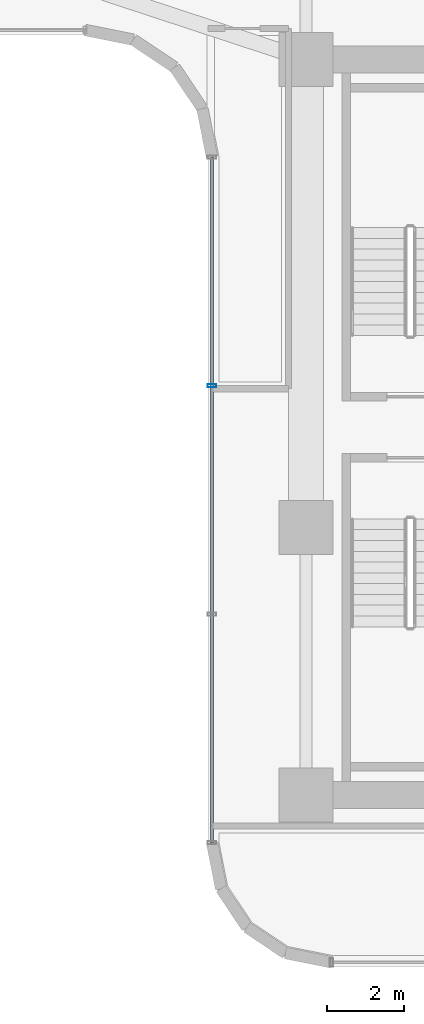
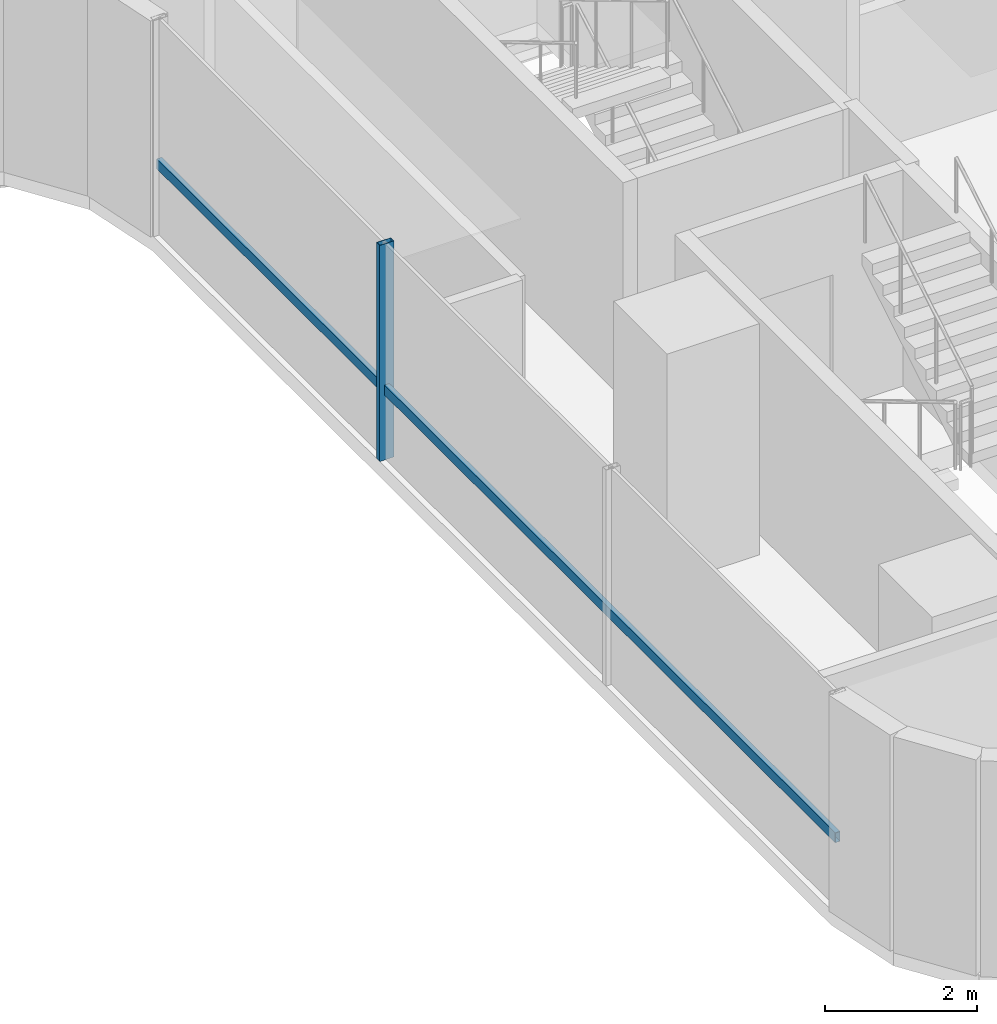
# One storey, part 14 of 42: 2 members, 1 element without a shape of its own.
"""IFC4 building model written with IfcOpenShell, lengths in metres."""

from ifc_helpers import new_model, si_unit, direction, frame, origin, origin_2d, place, context, subcontext, project, spatial, hollow_rectangle, extrude, source, transform, mapped, material, material_profile, profile_set, type_object, element, aggregate, save


model = new_model("IFC4")

# Units and contexts
model_context = context("Model", 3, precision=1e-05, world=origin(), true_north=direction((0.0, 1.0)))
body_context = subcontext(model_context, "Body", "Model", "MODEL_VIEW")
ifc_project = project(units=[si_unit("LENGTHUNIT", "METRE"), si_unit("AREAUNIT", "SQUARE_METRE"), si_unit("VOLUMEUNIT", "CUBIC_METRE"), si_unit("PLANEANGLEUNIT", "RADIAN"), si_unit("MASSUNIT", "GRAM", prefix="KILO")], contexts=[model_context])

# Site, building, storey
site_placement = place(None, origin())
site = spatial("IfcSite", under=ifc_project, at=site_placement, CompositionType="ELEMENT")
building_placement = place(site_placement, origin())
building = spatial("IfcBuilding", under=site, at=building_placement, Name="Valdorenza Pilgrim Sanctuary Tower", CompositionType="ELEMENT")
storey_placement = place(building_placement, frame((0.0, 0.0, 29.699951171875)))
storey = spatial("IfcBuildingStorey", under=building, at=storey_placement, Name="L06", CompositionType="ELEMENT", Elevation=29.699951171875)

# Curtain wall, members
ifc_material_1 = material(Name="Curtain-wall IGU glazing", Category="glass")
curtain_wall_type = type_object("IfcCurtainWallType", Name="CW-SYS-03", PredefinedType="NOTDEFINED", material=ifc_material_1)
curtain_wall_placement = place(storey_placement, origin())
curtain_wall = element("IfcCurtainWall", 1, at=curtain_wall_placement, inside=storey, type_object=curtain_wall_type, Name="L06 Curtain Wall CW-L06-1-31", PredefinedType="NOTDEFINED")
ifc_material_2 = material(Name="Anodised aluminium AW-6060", Category="aluminium")
ifc_material_profile_1 = material_profile(ifc_material_2, hollow_rectangle(XDim=0.0849609375, YDim=0.219970703125, WallThickness=0.0048828125, at=origin_2d()), Name="ALU-M 220x85x5")
ifc_profile_set_1 = profile_set([ifc_material_profile_1], Name="Anodised aluminium AW-6060")
member_type_1 = type_object("IfcMemberType", Name="CW-MUL-03", PredefinedType="MULLION", material=ifc_profile_set_1)
shared_shape_1 = source(origin(), body_context, "Body", "SweptSolid", [
    extrude(hollow_rectangle(XDim=0.0849609375, YDim=0.219970703125, WallThickness=0.0048828125, at=origin_2d()), origin(), (0.0, 0.0, 1.0), 3.4599609375),
])
member_1_placement = place(storey_placement, frame((13.409912109375, 1.077392578125, 0.0), z_axis=(0.0, 0.0, 1.0), x_axis=(0.0, 1.0, 0.0)))
member_1 = element("IfcMember", 2, at=member_1_placement, type_object=member_type_1, Name="CW-L06-1-31 Mullion 3", PredefinedType="MULLION", context=body_context, shape_type="MappedRepresentation", body=[
    mapped(shared_shape_1, transform((0.0, 0.0, 0.0), x_axis=(1.0, 0.0, 0.0), y_axis=(0.0, 1.0, 0.0), z_axis=(0.0, 0.0, 1.0), scale=1.0)),
])
ifc_material_profile_2 = material_profile(ifc_material_2, hollow_rectangle(XDim=0.074951171875, YDim=0.159912109375, WallThickness=0.00390625, at=origin_2d()), Name="ALU-T 160x75x4")
ifc_profile_set_2 = profile_set([ifc_material_profile_2], Name="Anodised aluminium AW-6060")
member_type_2 = type_object("IfcMemberType", Name="CW-TRN-03", PredefinedType="USERDEFINED", material=ifc_profile_set_2)
shared_shape_2 = source(origin(), body_context, "Body", "SweptSolid", [
    extrude(hollow_rectangle(XDim=0.074951171875, YDim=0.159912109375, WallThickness=0.00390625, at=origin_2d()), origin(), (0.0, 0.0, 1.0), 17.800048828125),
])
member_2_placement = place(storey_placement, frame((13.409912109375, -10.789306640625, 1.1201171875), z_axis=(0.0, 1.0, 0.0), x_axis=(-1.0, 0.0, 0.0)))
member_2 = element("IfcMember", 3, at=member_2_placement, type_object=member_type_2, Name="CW-L06-1-31 Transom 1", ObjectType="TRANSOM", PredefinedType="USERDEFINED", context=body_context, shape_type="MappedRepresentation", body=[
    mapped(shared_shape_2, transform((0.0, 0.0, 0.0), x_axis=(1.0, 0.0, 0.0), y_axis=(0.0, 1.0, 0.0), z_axis=(0.0, 0.0, 1.0), scale=1.0)),
])
aggregate(curtain_wall, [member_1, member_2])

save(model, "model.ifc")
